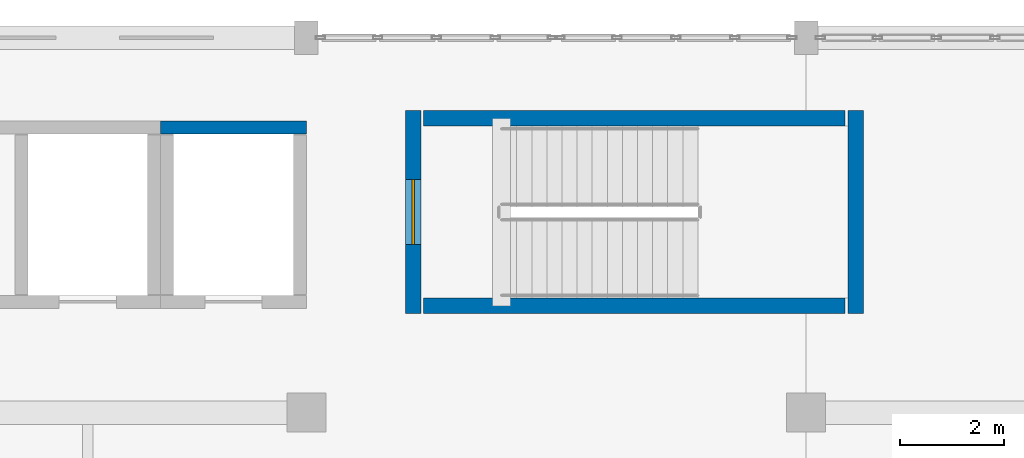
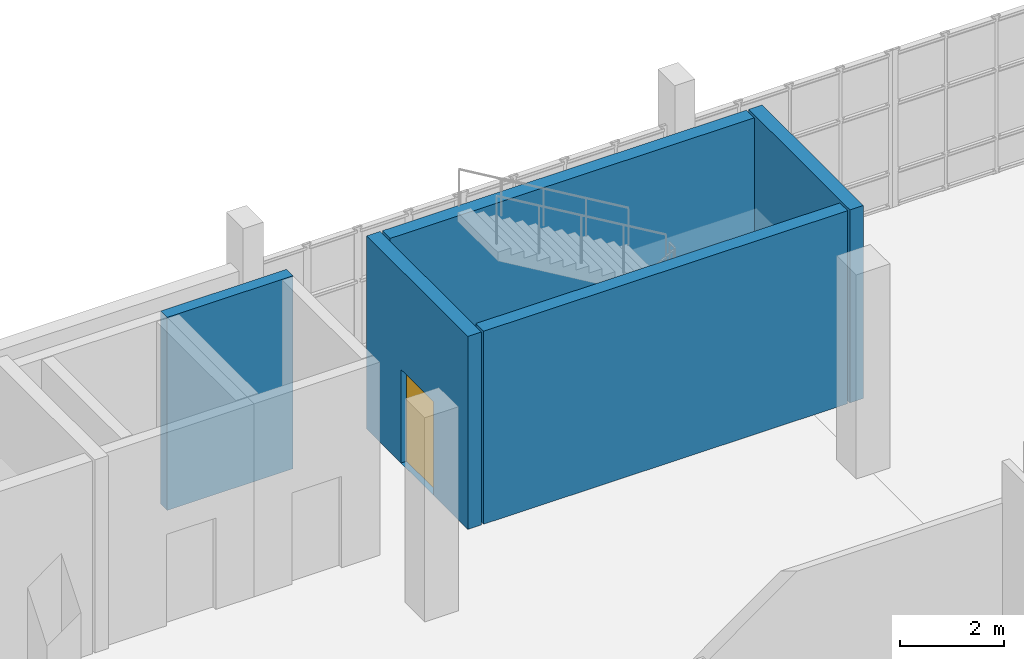
# One storey, part 89 of 106: 5 walls, 1 door, 1 opening.
"""IFC4 building model written with IfcOpenShell, lengths in metres."""

from ifc_helpers import new_model, si_unit, direction, frame, frame_2d, origin, place, context, subcontext, project, spatial, rectangle, extrude, material, layer, layer_set, type_object, element, fill, save


model = new_model("IFC4")

# Units and contexts
model_context = context("Model", 3, precision=1e-05, world=origin(), true_north=direction((0.0, 1.0)))
body_context = subcontext(model_context, "Body", "Model", "MODEL_VIEW")
ifc_project = project(units=[si_unit("LENGTHUNIT", "METRE"), si_unit("AREAUNIT", "SQUARE_METRE"), si_unit("VOLUMEUNIT", "CUBIC_METRE"), si_unit("PLANEANGLEUNIT", "RADIAN"), si_unit("MASSUNIT", "GRAM", prefix="KILO")], contexts=[model_context])

# Site, building, storey
site_placement = place(None, origin())
site = spatial("IfcSite", under=ifc_project, at=site_placement, CompositionType="ELEMENT")
building_placement = place(site_placement, origin())
building = spatial("IfcBuilding", under=site, at=building_placement, Name="Kisaragi Civic Commons", CompositionType="ELEMENT")
storey_placement = place(building_placement, frame((0.0, 0.0, 4.800048828125)))
storey = spatial("IfcBuildingStorey", under=building, at=storey_placement, Name="L01", CompositionType="ELEMENT", Elevation=4.800048828125)

# Wall, opening, door
ifc_material_1 = material(Name="Concrete Fc36", Category="concrete")
ifc_layer_1 = layer(ifc_material_1, 0.300048828125, Name="Concrete Fc36", Category="concrete")
ifc_layer_set_1 = layer_set([ifc_layer_1], Name="Concrete Fc36")
wall_type_1 = type_object("IfcWallType", Name="SW-01", PredefinedType="SHEAR", material=ifc_layer_set_1)
wall_1_placement = place(storey_placement, frame((116.050048828125, 117.39990234375, 0.0), z_axis=(0.0, 0.0, 1.0), x_axis=(0.0, -1.0, 0.0)))
wall_1 = element("IfcWall", 1, at=wall_1_placement, inside=storey, type_object=wall_type_1, Name="ST-L2 L01 entry RC shear wall", PredefinedType="SHEAR", context=body_context, shape_type="SweptSolid", body=[
    extrude(rectangle(XDim=3.89990234375, YDim=0.300048828125, at=frame_2d((1.949951171875, 0.0))), origin(), (0.0, 0.0, 1.0), 4.5400390625),
])
opening_placement = place(wall_1_placement, frame((1.324951171875, 0.0, 0.0)))
opening = element("IfcOpeningElement", 2, at=opening_placement, cuts=wall_1, Name="Opening SD-01", PredefinedType="OPENING", context=body_context, shape_type="SweptSolid", body=[
    extrude(rectangle(XDim=1.25, YDim=2.199951171875, at=frame_2d((0.625, 1.10009765625))), frame((0.0, 0.159912109375, 0.0), z_axis=(0.0, -1.0, 0.0), x_axis=(1.0, 0.0, 0.0)), (0.0, 0.0, 1.0), 0.320068359375),
])
ifc_material_2 = material(Name="Insulated fire-rated pressed steel door assembly", Category="steel")
door_type = type_object("IfcDoorType", Name="SD-01", OperationType="NOTDEFINED", PredefinedType="DOOR", material=ifc_material_2)
door_placement = place(opening_placement, origin())
door = element("IfcDoor", 3, at=door_placement, inside=storey, type_object=door_type, Name="ST-L2 L01 stair fire door 9", OperationType="SINGLE_SWING_LEFT", OverallHeight=2.199951171875, OverallWidth=1.25, PredefinedType="DOOR", context=body_context, shape_type="SweptSolid", body=[
    extrude(rectangle(XDim=1.25, YDim=2.199951171875, at=frame_2d((0.625, 1.10009765625))), frame((0.0, 0.02490234375, 0.0), z_axis=(0.0, -1.0, 0.0), x_axis=(1.0, 0.0, 0.0)), (0.0, 0.0, 1.0), 0.050048828125),
])
fill(opening, door)

# Walls
wall_2_placement = place(storey_placement, frame((116.25, 113.64990234375, 0.0), z_axis=(0.0, 0.0, 1.0), x_axis=(1.0, 0.0, 0.0)))
element("IfcWall", 4, at=wall_2_placement, inside=storey, type_object=wall_type_1, Name="ST-L2 L01 right RC shear wall", PredefinedType="SHEAR", context=body_context, shape_type="SweptSolid", body=[
    extrude(rectangle(XDim=8.10009765625, YDim=0.300048828125, at=frame_2d((4.050048828125, 0.0))), origin(), (0.0, 0.0, 1.0), 4.5400390625),
])
wall_3_placement = place(storey_placement, frame((124.550048828125, 113.5, 0.0), z_axis=(0.0, 0.0, 1.0), x_axis=(0.0, 1.0, 0.0)))
element("IfcWall", 5, at=wall_3_placement, inside=storey, type_object=wall_type_1, Name="ST-L2 L01 far RC shear wall", PredefinedType="SHEAR", context=body_context, shape_type="SweptSolid", body=[
    extrude(rectangle(XDim=3.89990234375, YDim=0.300048828125, at=frame_2d((1.949951171875, 0.0))), origin(), (0.0, 0.0, 1.0), 4.5400390625),
])
wall_4_placement = place(storey_placement, frame((124.35009765625, 117.25, 0.0), z_axis=(0.0, 0.0, 1.0), x_axis=(-1.0, 0.0, 0.0)))
element("IfcWall", 6, at=wall_4_placement, inside=storey, type_object=wall_type_1, Name="ST-L2 L01 left RC shear wall", PredefinedType="SHEAR", context=body_context, shape_type="SweptSolid", body=[
    extrude(rectangle(XDim=8.10009765625, YDim=0.300048828125, at=frame_2d((4.050048828125, 0.0))), origin(), (0.0, 0.0, 1.0), 4.5400390625),
])
ifc_layer_2 = layer(ifc_material_1, 0.25, Name="Concrete Fc36", Category="concrete")
ifc_layer_set_2 = layer_set([ifc_layer_2], Name="Concrete Fc36")
wall_type_2 = type_object("IfcWallType", Name="SW-02", PredefinedType="SHEAR", material=ifc_layer_set_2)
wall_5_placement = place(storey_placement, frame((111.199951171875, 117.074951171875, 0.0), z_axis=(0.0, 0.0, 1.0), x_axis=(1.0, 0.0, 0.0)))
element("IfcWall", 7, at=wall_5_placement, inside=storey, type_object=wall_type_2, Name="EL-L2 L01 north lift shaft wall", PredefinedType="SHEAR", context=body_context, shape_type="SweptSolid", body=[
    extrude(rectangle(XDim=2.800048828125, YDim=0.25, at=frame_2d((1.39990234375, 0.0))), origin(), (0.0, 0.0, 1.0), 4.5400390625),
])

save(model, "model.ifc")
